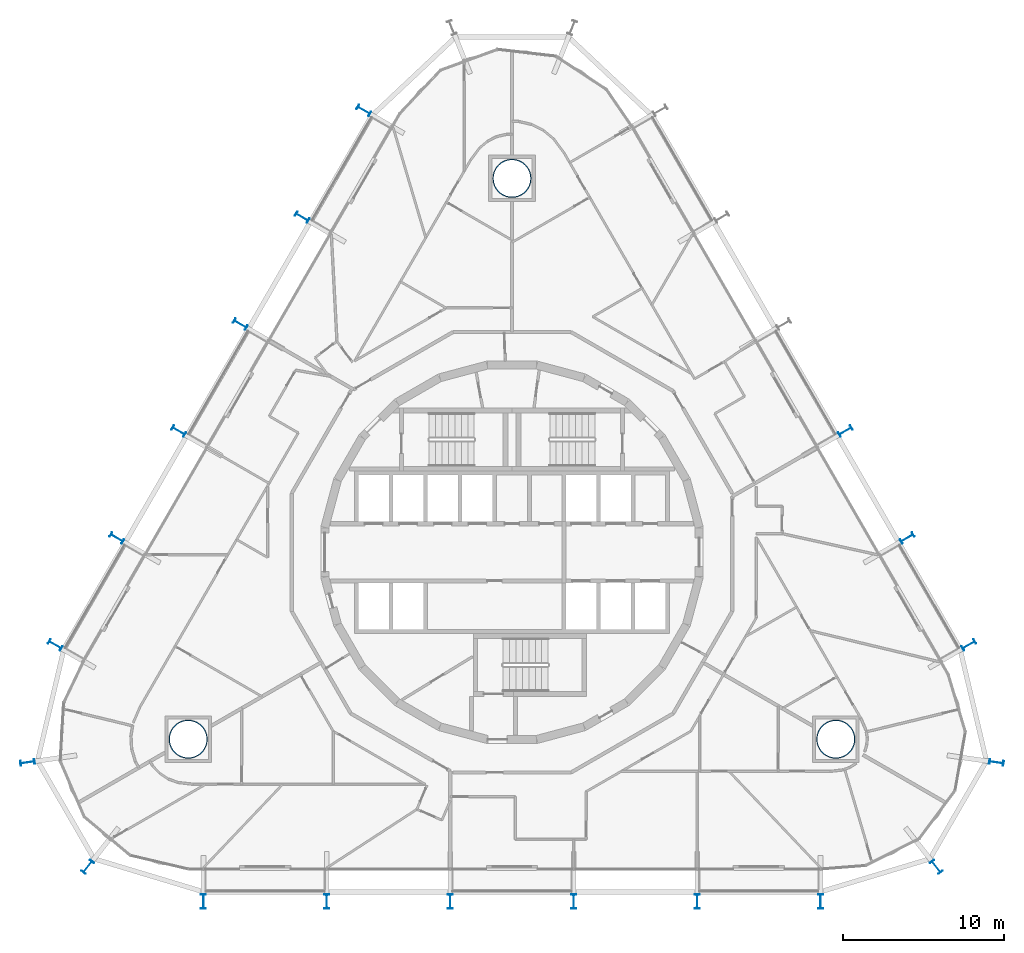
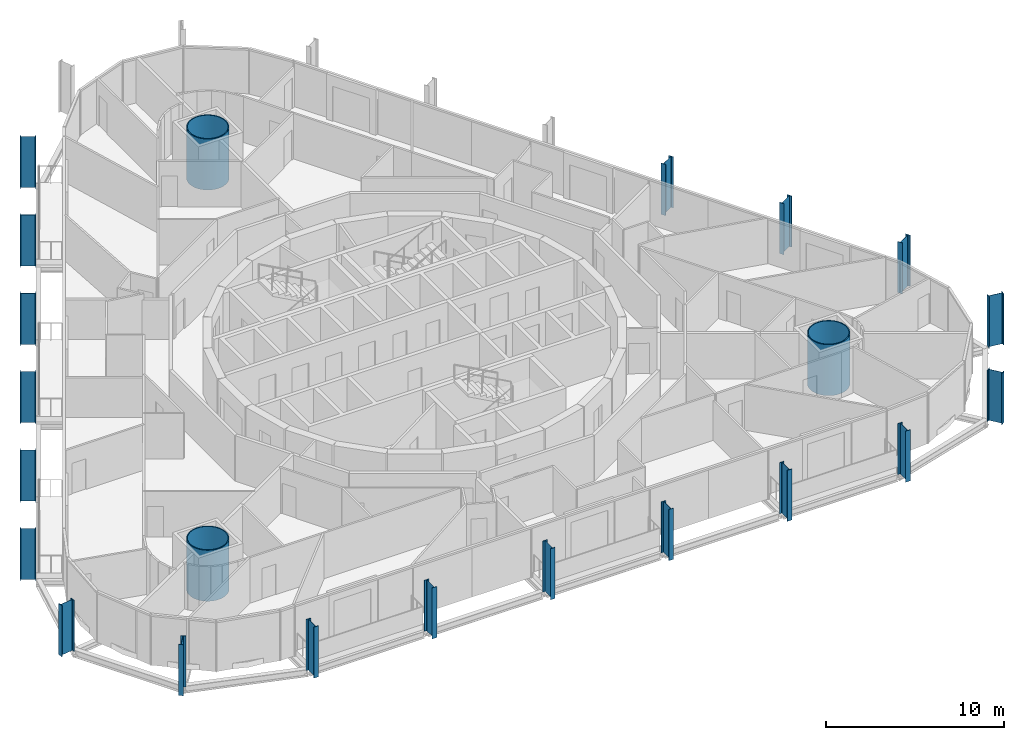
# One storey, part 1 of 21: 22 columns.
"""IFC4 building model written with IfcOpenShell, lengths in metres."""

import ifcopenshell
import ifcopenshell.guid

model = None  # the IFC model being written
_history = None  # IfcOwnerHistory: only IFC2X3 demands one
_inside = {}  # id of a spatial element -> (the spatial element, [elements in it])
_under = {}  # id of a project, library or spatial element -> (it, [spatial elements below it])
_declared = {}  # id of a project -> (the project, [libraries it declares])
_typed = {}  # id of a type object -> (the type object, [elements of that type])
_made_of = {}  # id of a material, layer set ... -> (it, [elements and type objects made of it])


def new_model(schema):
    """Start an empty IFC model of exactly this schema.

    Asked for "IFC4X3", IfcOpenShell would pick the latest addendum, in which some entities
    have other attributes; the version numbers below select the first issue.
    IFC2X3 requires an IfcOwnerHistory on every rooted entity: one is made here for all.
    """
    global model, _history
    if schema == "IFC4X3":
        model = ifcopenshell.file(schema_version=(4, 3, 0, 0))
    else:
        model = ifcopenshell.file(schema=schema)
    _inside.clear()
    _under.clear()
    _declared.clear()
    _typed.clear()
    _made_of.clear()
    _history = None
    if model.schema == "IFC2X3":
        org = make("IfcOrganization", Name="unknown")
        user = make(
            "IfcPersonAndOrganization",
            ThePerson=make("IfcPerson", FamilyName="unknown"),
            TheOrganization=org,
        )
        app = make(
            "IfcApplication",
            ApplicationDeveloper=org,
            Version="unknown",
            ApplicationFullName="unknown",
            ApplicationIdentifier="unknown",
        )
        _history = make(
            "IfcOwnerHistory",
            OwningUser=user,
            OwningApplication=app,
            ChangeAction="ADDED",
            CreationDate=0,
        )
    return model


def make(cls, **values):
    """One entity of the class cls with the attributes given. An attribute that is None is left unset."""
    return model.create_entity(
        cls, **{name: value for name, value in values.items() if value is not None}
    )


def rooted(cls, **values):
    """An entity with a GlobalId (a new one), such as an element, a storey or a relation."""
    return make(cls, GlobalId=ifcopenshell.guid.new(), OwnerHistory=_history, **values)


def si_unit(unit_type, name, prefix=None):
    """IfcSIUnit, for example si_unit("LENGTHUNIT", "METRE", prefix="MILLI")."""
    return make("IfcSIUnit", UnitType=unit_type, Prefix=prefix, Name=name)


def assignment(units):
    """IfcUnitAssignment: the units of a project."""
    return None if units is None else make("IfcUnitAssignment", Units=units)


def point(xyz):
    """IfcCartesianPoint."""
    return None if xyz is None else make("IfcCartesianPoint", Coordinates=xyz)


def direction(xyz):
    """IfcDirection."""
    return None if xyz is None else make("IfcDirection", DirectionRatios=xyz)


def frame(location, z_axis=None, x_axis=None):
    """IfcAxis2Placement3D, a coordinate frame: its origin and axes. An axis left out is left unset."""
    return make(
        "IfcAxis2Placement3D",
        Location=point(location),
        Axis=direction(z_axis),
        RefDirection=direction(x_axis),
    )


def frame_2d(location, x_axis=None):
    """IfcAxis2Placement2D, a coordinate frame in the plane: its origin and x axis."""
    return make(
        "IfcAxis2Placement2D", Location=point(location), RefDirection=direction(x_axis)
    )


def origin():
    """The frame at (0, 0, 0) with its axes left unset."""
    return frame((0.0, 0.0, 0.0))


def origin_2d():
    """The frame at (0, 0) in the plane with its x axis left unset."""
    return frame_2d((0.0, 0.0))


def place(relative_to, where):
    """IfcLocalPlacement: puts the frame where relative to a parent placement (None: the world)."""
    return make(
        "IfcLocalPlacement", PlacementRelTo=relative_to, RelativePlacement=where
    )


def context(
    kind, dimensions, precision=None, world=None, true_north=None, identifier=None
):
    """IfcGeometricRepresentationContext, for example the 3D "Model" context."""
    return make(
        "IfcGeometricRepresentationContext",
        ContextIdentifier=identifier,
        ContextType=kind,
        CoordinateSpaceDimension=dimensions,
        Precision=precision,
        WorldCoordinateSystem=world,
        TrueNorth=true_north,
    )


def subcontext(parent, identifier, kind, view, scale=None):
    """IfcGeometricRepresentationSubContext, for example "Body" below "Model"."""
    return make(
        "IfcGeometricRepresentationSubContext",
        ContextIdentifier=identifier,
        ContextType=kind,
        ParentContext=parent,
        TargetScale=scale,
        TargetView=view,
    )


def project(units=None, contexts=None):
    """IfcProject with its units and contexts."""
    return rooted(
        "IfcProject",
        Name="project",
        RepresentationContexts=contexts,
        UnitsInContext=assignment(units),
    )


def spatial(cls, under=None, at=None, **own):
    """A site, building, storey or space (cls), placed at a placement, below another one or the project."""
    s = rooted(cls, ObjectPlacement=at, **own)
    if under is not None:
        _under.setdefault(under.id(), (under, []))[1].append(s)
    return s


def profile(cls, at=None, kind="AREA", **sizes):
    """A parametric profile (cls). Its sizes go by their IFC names, for example OverallWidth=200.0."""
    return make(cls, ProfileType=kind, Position=at, **sizes)


def hollow_circle(**sizes):
    """IfcCircleHollowProfileDef."""
    return profile("IfcCircleHollowProfileDef", **sizes)


def i_section(**sizes):
    """IfcIShapeProfileDef."""
    return profile("IfcIShapeProfileDef", **sizes)


def extrude(swept, where, along, depth):
    """IfcExtrudedAreaSolid: the profile swept, set in the frame where, extruded along a direction by depth."""
    return make(
        "IfcExtrudedAreaSolid",
        SweptArea=swept,
        Position=where,
        ExtrudedDirection=direction(along),
        Depth=depth,
    )


def shape(context_of_items, identifier, shape_type, items):
    """IfcShapeRepresentation: the items that make up one representation, for example the "Body"."""
    return make(
        "IfcShapeRepresentation",
        ContextOfItems=context_of_items,
        RepresentationIdentifier=identifier,
        RepresentationType=shape_type,
        Items=items,
    )


def material(Name=None, Category=None):
    """IfcMaterial."""
    return make("IfcMaterial", Name=Name, Category=Category)


def material_profile(
    of_material, cross_section, Name=None, Category=None, Priority=None
):
    """IfcMaterialProfile: a cross section and its material."""
    return make(
        "IfcMaterialProfile",
        Name=Name,
        Material=of_material,
        Profile=cross_section,
        Priority=Priority,
        Category=Category,
    )


def profile_set(profiles, Name=None, composite=None):
    """IfcMaterialProfileSet."""
    return make(
        "IfcMaterialProfileSet",
        Name=Name,
        MaterialProfiles=profiles,
        CompositeProfile=composite,
    )


def made_of(thing, what):
    """Note that an element or type object is made of a material, layer set ...; save() writes the relation."""
    if what is not None:
        _made_of.setdefault(what.id(), (what, []))[1].append(thing)
    return thing


def type_object(cls, material=None, **own):
    """A type object (cls), such as IfcWallType, which elements share."""
    return made_of(rooted(cls, **own), material)


def element(
    cls,
    number,
    at=None,
    inside=None,
    cuts=None,
    type_object=None,
    material=None,
    context=None,
    identifier="Body",
    shape_type=None,
    held_by="IfcProductDefinitionShape",
    body=None,
    shapes=None,
    **own,
):
    """One element of the class cls, such as IfcWall. Its Tag is "e" and its number.

    at: its placement. inside: the storey or other place that contains it. cuts: it is an
    opening in that element (IfcRelVoidsElement). A single representation is given by context,
    identifier, shape_type and body (its items); several are given by shapes. held_by: the class
    of the entity that holds the representations. save() writes the other relations.
    """
    e = rooted(cls, Tag="e%d" % number, ObjectPlacement=at, **own)
    if body is not None:
        shapes = [shape(context, identifier, shape_type, body)]
    if shapes is not None:
        e.Representation = make(held_by, Representations=shapes)
    if inside is not None:
        _inside.setdefault(inside.id(), (inside, []))[1].append(e)
    if cuts is not None:
        rooted(
            "IfcRelVoidsElement", RelatingBuildingElement=cuts, RelatedOpeningElement=e
        )
    if type_object is not None:
        _typed.setdefault(type_object.id(), (type_object, []))[1].append(e)
    return made_of(e, material)


def aggregate(whole, parts):
    """IfcRelAggregates: a whole, such as a stair, and the parts it consists of."""
    return rooted("IfcRelAggregates", RelatingObject=whole, RelatedObjects=parts)


def save(model, path):
    """Write the relations noted so far, then the file.

    IfcRelAggregates (storeys below a building ...), IfcRelContainedInSpatialStructure (elements
    in a storey), IfcRelDefinesByType, IfcRelAssociatesMaterial and IfcRelDeclares: one each for
    every whole, place, type object, material and project.
    """
    for whole, parts in _under.values():
        aggregate(whole, parts)
    for where, things in _inside.values():
        rooted(
            "IfcRelContainedInSpatialStructure",
            RelatedElements=things,
            RelatingStructure=where,
        )
    for kind, things in _typed.values():
        rooted("IfcRelDefinesByType", RelatedObjects=things, RelatingType=kind)
    for what, things in _made_of.values():
        rooted("IfcRelAssociatesMaterial", RelatedObjects=things, RelatingMaterial=what)
    for by, libraries in _declared.values():
        rooted("IfcRelDeclares", RelatingContext=by, RelatedDefinitions=libraries)
    model.write(path)


model = new_model("IFC4")

# Units and contexts
model_context = context("Model", 3, precision=1e-05, world=origin(), true_north=direction((0.0, 1.0)))
body_context = subcontext(model_context, "Body", "Model", "MODEL_VIEW")
ifc_project = project(units=[si_unit("LENGTHUNIT", "METRE"), si_unit("AREAUNIT", "SQUARE_METRE"), si_unit("VOLUMEUNIT", "CUBIC_METRE"), si_unit("PLANEANGLEUNIT", "RADIAN"), si_unit("MASSUNIT", "GRAM", prefix="KILO")], contexts=[model_context])

# Site, building, storey
site_placement = place(None, origin())
site = spatial("IfcSite", under=ifc_project, at=site_placement, CompositionType="ELEMENT")
building_placement = place(site_placement, origin())
building = spatial("IfcBuilding", under=site, at=building_placement, Name="Spindle Arch Residences", CompositionType="ELEMENT")
storey_placement = place(building_placement, frame((0.0, 0.0, 48.89990234375)))
storey = spatial("IfcBuildingStorey", under=building, at=storey_placement, Name="L10", CompositionType="ELEMENT", Elevation=48.89990234375)

# Columns
ifc_material_1 = material(Name="Steel S460ML, intumescent coating R 240", Category="steel")
ifc_material_profile_1 = material_profile(ifc_material_1, i_section(OverallWidth=0.300048828125, OverallDepth=0.89990234375, WebThickness=0.0185546875, FlangeThickness=0.034912109375, FilletRadius=0.030029296875, at=origin_2d()), Name="HEB 900")
ifc_profile_set_1 = profile_set([ifc_material_profile_1], Name="Steel S460ML, intumescent coating R 240")
column_type_1 = type_object("IfcColumnType", Name="Exoskeleton post HEB 900", PredefinedType="COLUMN", material=ifc_profile_set_1)
for number, where, z_axis, x_axis, name in (
    (1, (3.840087890625, -21.72998046875, -0.3798828125), (0.0, 0.0, 1.0), (-1.0, 0.0, 0.0), "Exoskeleton post 1"),
    (2, (11.52001953125, -21.72998046875, -0.3798828125), (0.0, 0.0, 1.0), (-1.0, 0.0, 0.0), "Exoskeleton post 2"),
    (3, (19.2001953125, -21.72998046875, -0.3798828125), (0.0, 0.0, 1.0), (-1.0, 0.0, 0.0), "Exoskeleton post 3"),
    (4, (26.3916015625, -19.565185546875, -0.3798828125), (0.0, 0.0, 1.0), (-0.7856835335, -0.618628632693, 0.0), "Exoskeleton post 4"),
    (5, (30.139892578125, -13.0732421875, -0.3798828125), (0.0, 0.0, 1.0), (-0.142906037553, -0.989736260036, 0.0), "Exoskeleton post 5"),
    (6, (28.418701171875, -5.762939453125, -0.3798828125), (0.0, 0.0, 1.0), (0.50000017485, -0.866025302835, 0.0), "Exoskeleton post 6"),
    (7, (24.57861328125, 0.88818359375, -0.3798828125), (0.0, 0.0, 1.0), (0.50000017485, -0.866025302835, 0.0), "Exoskeleton post 7"),
    (8, (20.73876953125, 7.539306640625, -0.3798828125), (0.0, 0.0, 1.0), (0.50000017485, -0.866025302835, 0.0), "Exoskeleton post 8"),
    (9, (-9.218505859375, 27.492919921875, -0.3798828125), (0.0, 0.0, 1.0), (0.50000017485, 0.866025302835, 0.0), "Exoskeleton post 14"),
    (10, (-13.05859375, 20.841796875, -0.3798828125), (0.0, 0.0, 1.0), (0.50000017485, 0.866025302835, 0.0), "Exoskeleton post 15"),
    (11, (-16.898681640625, 14.1904296875, -0.3798828125), (0.0, 0.0, 1.0), (0.50000017485, 0.866025302835, 0.0), "Exoskeleton post 16"),
    (12, (-20.73876953125, 7.539306640625, -0.3798828125), (0.0, 0.0, 1.0), (0.50000017485, 0.866025302835, 0.0), "Exoskeleton post 17"),
    (13, (-24.57861328125, 0.88818359375, -0.3798828125), (0.0, 0.0, 1.0), (0.50000017485, 0.866025302835, 0.0), "Exoskeleton post 18"),
    (14, (-28.418701171875, -5.762939453125, -0.3798828125), (0.0, 0.0, 1.0), (0.50000017485, 0.866025302835, 0.0), "Exoskeleton post 19"),
    (15, (-30.139892578125, -13.0732421875, -0.3798828125), (0.0, 0.0, 1.0), (-0.142906037553, 0.989736260036, 0.0), "Exoskeleton post 20"),
    (16, (-26.3916015625, -19.565185546875, -0.3798828125), (0.0, 0.0, 1.0), (-0.7856835335, 0.618628632693, 0.0), "Exoskeleton post 21"),
    (17, (-19.2001953125, -21.72998046875, -0.3798828125), (0.0, 0.0, 1.0), (-1.0, 0.0, 0.0), "Exoskeleton post 22"),
    (18, (-11.52001953125, -21.72998046875, -0.3798828125), (0.0, 0.0, 1.0), (-1.0, 0.0, 0.0), "Exoskeleton post 23"),
    (19, (-3.840087890625, -21.72998046875, -0.3798828125), (0.0, 0.0, 1.0), (-1.0, 0.0, 0.0), "Exoskeleton post 24"),
):
    element("IfcColumn", number, at=place(storey_placement, frame(where, z_axis=z_axis, x_axis=x_axis)), inside=storey, type_object=column_type_1, Name=name, PredefinedType="COLUMN", context=body_context, shape_type="SweptSolid", body=[
        extrude(i_section(OverallWidth=0.300048828125, OverallDepth=0.89990234375, WebThickness=0.0185546875, FlangeThickness=0.034912109375, FilletRadius=0.030029296875, at=origin_2d()), origin(), (0.0, 0.0, 1.0), 3.5),
    ])
ifc_material_2 = material(Name="Concrete C50/60 filled steel tube S460ML, intumescent coating R 240", Category="concrete")
ifc_material_profile_2 = material_profile(ifc_material_2, hollow_circle(Radius=1.199951171875, WallThickness=0.06005859375, at=origin_2d()), Name="CFT D2400x60")
ifc_profile_set_2 = profile_set([ifc_material_profile_2], Name="Concrete C50/60 filled steel tube S460ML, intumescent coating R 240")
column_type_2 = type_object("IfcColumnType", Name="Mega-column CFT D2400x60", PredefinedType="COLUMN", material=ifc_profile_set_2)
for number, where, z_axis, x_axis, name in (
    (20, (20.1435546875, -11.6298828125, -0.3798828125), (0.0, 0.0, 1.0), (1.0, 0.0, 0.0), "Mega-column 1"),
    (21, (0.0, 23.259765625, -0.3798828125), (0.0, 0.0, 1.0), (1.0, 0.0, 0.0), "Mega-column 2"),
    (22, (-20.1435546875, -11.6298828125, -0.3798828125), (0.0, 0.0, 1.0), (1.0, 0.0, 0.0), "Mega-column 3"),
):
    element("IfcColumn", number, at=place(storey_placement, frame(where, z_axis=z_axis, x_axis=x_axis)), inside=storey, type_object=column_type_2, Name=name, PredefinedType="COLUMN", context=body_context, shape_type="SweptSolid", body=[
        extrude(hollow_circle(Radius=1.199951171875, WallThickness=0.06005859375, at=origin_2d()), origin(), (0.0, 0.0, 1.0), 3.5),
    ])

save(model, "model.ifc")
